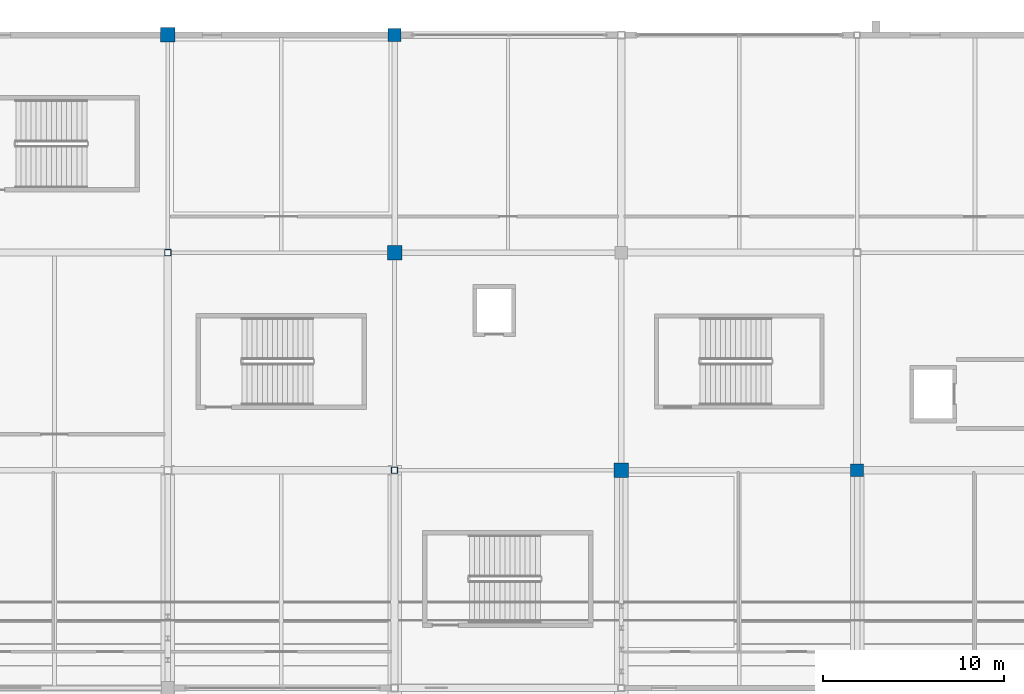
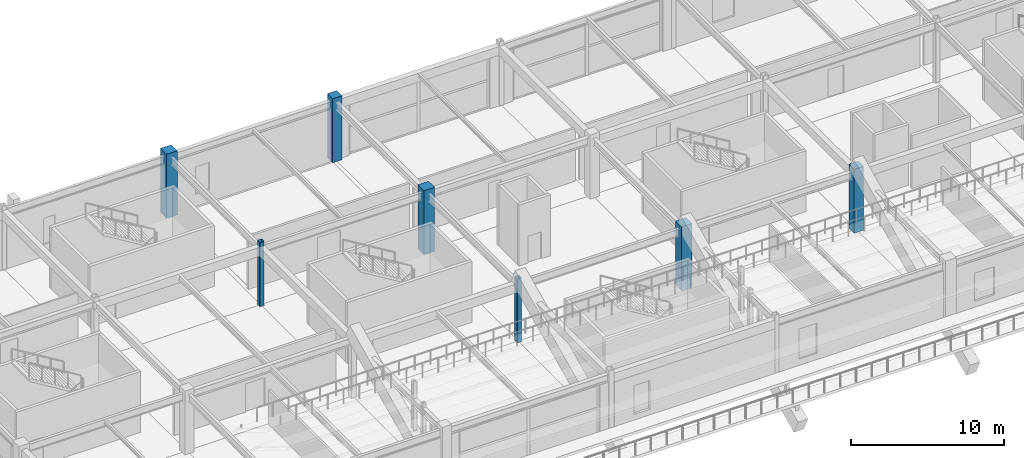
# One storey, part 21 of 128: 7 columns.
"""IFC4 building model written with IfcOpenShell, lengths in metres."""

from ifc_helpers import new_model, si_unit, direction, frame, origin, origin_2d, place, context, subcontext, project, spatial, rectangle, hollow_rectangle, extrude, material, material_profile, profile_set, type_object, element, save


model = new_model("IFC4")

# Units and contexts
model_context = context("Model", 3, precision=1e-05, world=origin(), true_north=direction((0.0, 1.0)))
body_context = subcontext(model_context, "Body", "Model", "MODEL_VIEW")
ifc_project = project(units=[si_unit("LENGTHUNIT", "METRE"), si_unit("AREAUNIT", "SQUARE_METRE"), si_unit("VOLUMEUNIT", "CUBIC_METRE"), si_unit("PLANEANGLEUNIT", "RADIAN"), si_unit("MASSUNIT", "GRAM", prefix="KILO")], contexts=[model_context])

# Site, building, storey
site_placement = place(None, origin())
site = spatial("IfcSite", under=ifc_project, at=site_placement, CompositionType="ELEMENT")
building_placement = place(site_placement, origin())
building = spatial("IfcBuilding", under=site, at=building_placement, Name="Kazenohara Klinker Stadium", CompositionType="ELEMENT")
storey_placement = place(building_placement, frame((0.0, 0.0, 15.300048828125)))
storey = spatial("IfcBuildingStorey", under=building, at=storey_placement, Name="L03", CompositionType="ELEMENT", Elevation=15.300048828125)

# Columns
ifc_material_1 = material(Name="Concrete C40/50", Category="concrete")
ifc_material_profile_1 = material_profile(ifc_material_1, rectangle(XDim=0.800048828125, YDim=0.800048828125, at=origin_2d()), Name="RC-COL-800x800")
ifc_profile_set_1 = profile_set([ifc_material_profile_1], Name="Concrete C40/50")
column_type_1 = type_object("IfcColumnType", Name="COL-RC05", PredefinedType="COLUMN", material=ifc_profile_set_1)
for number, where, z_axis, x_axis, name in (
    (1, (74.0, 168.0, 0.0), (0.0, 0.0, 1.0), (1.0, 0.0, 0.0), "Column C05 L03 7/Q"),
    (2, (86.5, 156.0, 0.0), (0.0, 0.0, 1.0), (1.0, 0.0, 0.0), "Column C05 L03 8/P"),
    (3, (99.0, 144.0, 0.0), (0.0, 0.0, 1.0), (1.0, 0.0, 0.0), "Column C05 L03 9/N"),
):
    element("IfcColumn", number, at=place(storey_placement, frame(where, z_axis=z_axis, x_axis=x_axis)), inside=storey, type_object=column_type_1, Name=name, PredefinedType="COLUMN", context=body_context, shape_type="SweptSolid", body=[
        extrude(rectangle(XDim=0.800048828125, YDim=0.800048828125, at=origin_2d()), origin(), (0.0, 0.0, 1.0), 5.099853515625),
    ])
ifc_material_profile_2 = material_profile(ifc_material_1, rectangle(XDim=0.699951171875, YDim=0.699951171875, at=origin_2d()), Name="RC-COL-700x700")
ifc_profile_set_2 = profile_set([ifc_material_profile_2], Name="Concrete C40/50")
column_type_2 = type_object("IfcColumnType", Name="COL-RC06", PredefinedType="COLUMN", material=ifc_profile_set_2)
for number, where, z_axis, x_axis, name in (
    (4, (86.5, 168.0, 0.0), (0.0, 0.0, 1.0), (1.0, 0.0, 0.0), "Column C06 L03 8/Q"),
    (5, (112.0, 144.0, 0.0), (0.0, 0.0, 1.0), (1.0, 0.0, 0.0), "Column C06 L03 10/N"),
):
    element("IfcColumn", number, at=place(storey_placement, frame(where, z_axis=z_axis, x_axis=x_axis)), inside=storey, type_object=column_type_2, Name=name, PredefinedType="COLUMN", context=body_context, shape_type="SweptSolid", body=[
        extrude(rectangle(XDim=0.699951171875, YDim=0.699951171875, at=origin_2d()), origin(), (0.0, 0.0, 1.0), 5.099853515625),
    ])
ifc_material_2 = material(Name="Steel S355", Category="steel")
ifc_material_profile_3 = material_profile(ifc_material_2, hollow_rectangle(XDim=0.35009765625, YDim=0.35009765625, WallThickness=0.01611328125, InnerFilletRadius=0.01611328125, OuterFilletRadius=0.031982421875, at=origin_2d()), Name="SHS-350x350x16")
ifc_profile_set_3 = profile_set([ifc_material_profile_3], Name="Steel S355")
column_type_3 = type_object("IfcColumnType", Name="COL-ST02", PredefinedType="COLUMN", material=ifc_profile_set_3)
for number, where, z_axis, x_axis, name in (
    (6, (74.0, 156.0, 0.0), (0.0, 0.0, 1.0), (1.0, 0.0, 0.0), "Column SC02 L03 7/P"),
    (7, (86.5, 144.0, 0.0), (0.0, 0.0, 1.0), (1.0, 0.0, 0.0), "Column SC02 L03 8/N"),
):
    element("IfcColumn", number, at=place(storey_placement, frame(where, z_axis=z_axis, x_axis=x_axis)), inside=storey, type_object=column_type_3, Name=name, PredefinedType="COLUMN", context=body_context, shape_type="SweptSolid", body=[
        extrude(hollow_rectangle(XDim=0.35009765625, YDim=0.35009765625, WallThickness=0.01611328125, InnerFilletRadius=0.01611328125, OuterFilletRadius=0.031982421875, at=origin_2d()), origin(), (0.0, 0.0, 1.0), 5.099853515625),
    ])

save(model, "model.ifc")
